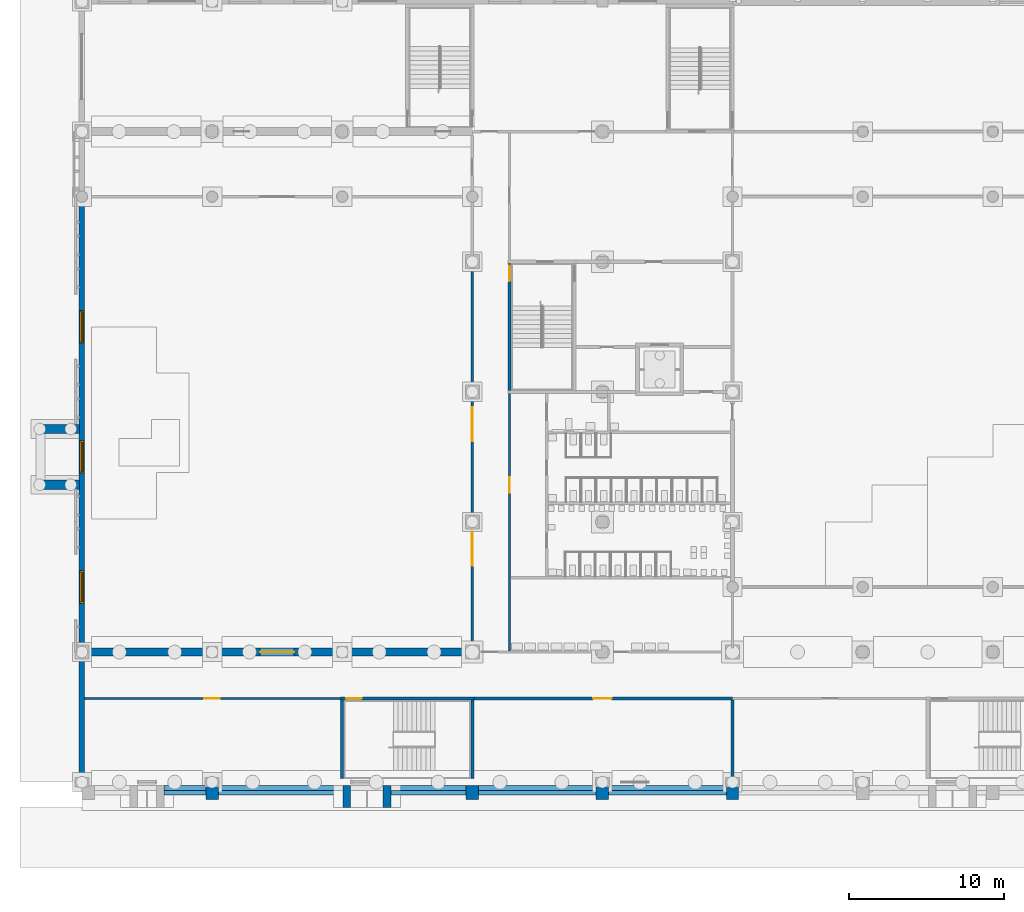
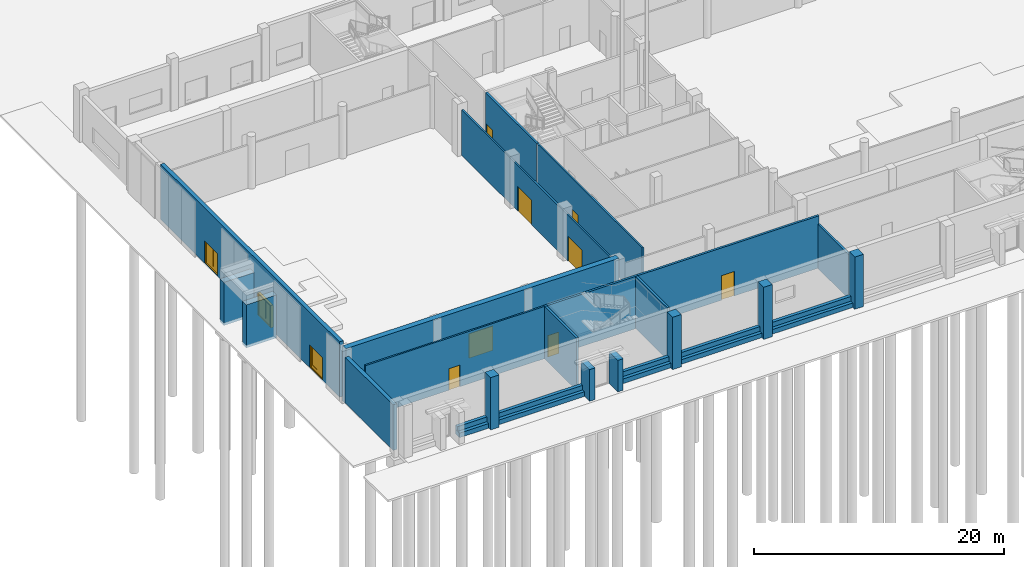
# One storey, part 15 of 74: 30 walls, 11 doors, 11 openings.
"""IFC4 building model written with IfcOpenShell, lengths in metres."""

from ifc_helpers import new_model, si_unit, direction, frame, frame_2d, origin, place, context, subcontext, project, spatial, rectangle, extrude, material, layer, layer_set, type_object, element, fill, save


model = new_model("IFC4")

# Units and contexts
model_context = context("Model", 3, precision=1e-05, world=origin(), true_north=direction((0.0, 1.0)))
body_context = subcontext(model_context, "Body", "Model", "MODEL_VIEW")
ifc_project = project(units=[si_unit("LENGTHUNIT", "METRE"), si_unit("AREAUNIT", "SQUARE_METRE"), si_unit("VOLUMEUNIT", "CUBIC_METRE"), si_unit("PLANEANGLEUNIT", "RADIAN"), si_unit("MASSUNIT", "GRAM", prefix="KILO")], contexts=[model_context])

# Site, building, storey
site_placement = place(None, origin())
site = spatial("IfcSite", under=ifc_project, at=site_placement, CompositionType="ELEMENT")
building_placement = place(site_placement, origin())
building = spatial("IfcBuilding", under=site, at=building_placement, Name="Rulbaag Community and Learning Centre", CompositionType="ELEMENT")
storey_placement = place(building_placement, origin())
storey = spatial("IfcBuildingStorey", under=building, at=storey_placement, Name="L00", CompositionType="ELEMENT", Elevation=0.0)

# Walls
ifc_material_1 = material(Name="Concrete M40", Category="concrete")
ifc_layer_1 = layer(ifc_material_1, 0.800048828125)
ifc_layer_set_1 = layer_set([ifc_layer_1], Name="EW-BTR")
wall_type_1 = type_object("IfcWallType", Name="EW-BTR", PredefinedType="SOLIDWALL", material=ifc_layer_set_1)
for number, where, z_axis, x_axis, name in (
    (1, (8.39990234375, -0.22509765625, 0.0), (0.0, 0.0, 1.0), (0.0, -1.0, 0.0), "Buttress pier"),
    (2, (25.199951171875, -0.22509765625, 0.0), (0.0, 0.0, 1.0), (0.0, -1.0, 0.0), "Buttress pier"),
    (3, (33.60009765625, -0.22509765625, 0.0), (0.0, 0.0, 1.0), (0.0, -1.0, 0.0), "Buttress pier"),
    (4, (42.0, -0.22509765625, 0.0), (0.0, 0.0, 1.0), (0.0, -1.0, 0.0), "Buttress pier"),
):
    element("IfcWall", number, at=place(storey_placement, frame(where, z_axis=z_axis, x_axis=x_axis)), inside=storey, type_object=wall_type_1, Name=name, PredefinedType="SOLIDWALL", context=body_context, shape_type="SweptSolid", body=[
        extrude(rectangle(XDim=0.89990234375, YDim=0.800048828125, at=frame_2d((0.449951171875, 0.0))), origin(), (0.0, 0.0, 1.0), 5.10009765625),
    ])
ifc_layer_2 = layer(ifc_material_1, 0.35009765625)
ifc_layer_set_2 = layer_set([ifc_layer_2], Name="EW-CONC350")
wall_type_2 = type_object("IfcWallType", Name="EW-CONC350", PredefinedType="STANDARD", material=ifc_layer_set_2)
wall_1_placement = place(storey_placement, frame((0.0, 0.300048828125, 0.0), z_axis=(0.0, 0.0, 1.0), x_axis=(0.0, 1.0, 0.0)))
element("IfcWall", 5, at=wall_1_placement, inside=storey, type_object=wall_type_2, Name="Board-marked concrete cladding wall AW", PredefinedType="STANDARD", context=body_context, shape_type="SweptSolid", body=[
    extrude(rectangle(XDim=7.64990234375, YDim=0.35009765625, at=frame_2d((3.824951171875, 0.0))), origin(), (0.0, 0.0, 1.0), 4.449951171875),
])

# Wall, openings, doors
wall_2_placement = place(storey_placement, frame((0.0, 8.85009765625, 0.0), z_axis=(0.0, 0.0, 1.0), x_axis=(0.0, 1.0, 0.0)))
wall_2 = element("IfcWall", 6, at=wall_2_placement, inside=storey, type_object=wall_type_2, Name="Board-marked concrete cladding wall AW", PredefinedType="STANDARD", context=body_context, shape_type="SweptSolid", body=[
    extrude(rectangle(XDim=28.599853515625, YDim=0.35009765625, at=frame_2d((14.2998046875, 0.0))), origin(), (0.0, 0.0, 1.0), 5.39990234375),
])
opening_1_placement = place(wall_2_placement, frame((2.699951171875, 0.0, 0.0)))
opening_1 = element("IfcOpeningElement", 7, at=opening_1_placement, cuts=wall_2, Name="Opening L00-D001", PredefinedType="OPENING", context=body_context, shape_type="SweptSolid", body=[
    extrude(rectangle(XDim=2.10009765625, YDim=2.199951171875, at=frame_2d((1.050048828125, 1.10009765625))), frame((0.0, 0.18505859375, 0.0), z_axis=(0.0, -1.0, 0.0), x_axis=(1.0, 0.0, 0.0)), (0.0, 0.0, 1.0), 0.3701171875),
])
opening_2_placement = place(wall_2_placement, frame((11.10009765625, 0.0, 0.0)))
opening_2 = element("IfcOpeningElement", 8, at=opening_2_placement, cuts=wall_2, Name="Opening L00-D002", PredefinedType="OPENING", context=body_context, shape_type="SweptSolid", body=[
    extrude(rectangle(XDim=2.10009765625, YDim=2.199951171875, at=frame_2d((1.050048828125, 1.10009765625))), frame((0.0, 0.18505859375, 0.0), z_axis=(0.0, -1.0, 0.0), x_axis=(1.0, 0.0, 0.0)), (0.0, 0.0, 1.0), 0.3701171875),
])
opening_3_placement = place(wall_2_placement, frame((19.5, 0.0, 0.0)))
opening_3 = element("IfcOpeningElement", 9, at=opening_3_placement, cuts=wall_2, Name="Opening L00-D003", PredefinedType="OPENING", context=body_context, shape_type="SweptSolid", body=[
    extrude(rectangle(XDim=2.10009765625, YDim=2.199951171875, at=frame_2d((1.050048828125, 1.10009765625))), frame((0.0, 0.18505859375, 0.0), z_axis=(0.0, -1.0, 0.0), x_axis=(1.0, 0.0, 0.0)), (0.0, 0.0, 1.0), 0.3701171875),
])
ifc_material_2 = material(Name="Aluminium", Category="aluminium")
door_type_1 = type_object("IfcDoorType", Name="DG-21", OperationType="DOUBLE_DOOR_SINGLE_SWING", PredefinedType="DOOR", material=ifc_material_2)
door_1_placement = place(opening_1_placement, origin())
door_1 = element("IfcDoor", 10, at=door_1_placement, inside=storey, type_object=door_type_1, Name="Final exit G1", OperationType="SINGLE_SWING_LEFT", OverallHeight=2.199951171875, OverallWidth=2.10009765625, PredefinedType="DOOR", context=body_context, shape_type="SweptSolid", body=[
    extrude(rectangle(XDim=2.10009765625, YDim=0.012939453125, at=frame_2d((1.050048828125, 0.006591796875))), frame((0.0, 0.114990234375, 0.0), z_axis=(0.0, -1.0, 0.0), x_axis=(1.0, 0.0, 0.0)), (0.0, 0.0, 1.0), 0.22998046875),
    extrude(rectangle(XDim=0.074951171875, YDim=2.112060546875, at=frame_2d((0.03759765625, 1.069091796875))), frame((0.0, 0.125, 0.0), z_axis=(0.0, -1.0, 0.0), x_axis=(1.0, 0.0, 0.0)), (0.0, 0.0, 1.0), 0.25),
    extrude(rectangle(XDim=0.074951171875, YDim=2.112060546875, at=frame_2d((2.0625, 1.069091796875))), frame((0.0, 0.125, 0.0), z_axis=(0.0, -1.0, 0.0), x_axis=(1.0, 0.0, 0.0)), (0.0, 0.0, 1.0), 0.25),
    extrude(rectangle(XDim=2.10009765625, YDim=0.074951171875, at=frame_2d((1.050048828125, 2.16259765625))), frame((0.0, 0.114990234375, 0.0), z_axis=(0.0, -1.0, 0.0), x_axis=(1.0, 0.0, 0.0)), (0.0, 0.0, 1.0), 0.22998046875),
    extrude(rectangle(XDim=1.9501953125, YDim=0.300048828125, at=frame_2d((1.050048828125, 0.1630859375))), frame((0.0, 0.02001953125, 0.0), z_axis=(0.0, -1.0, 0.0), x_axis=(1.0, 0.0, 0.0)), (0.0, 0.0, 1.0), 0.0400390625),
    extrude(rectangle(XDim=1.9501953125, YDim=0.1201171875, at=frame_2d((1.050048828125, 2.06494140625))), frame((0.0, 0.02001953125, 0.0), z_axis=(0.0, -1.0, 0.0), x_axis=(1.0, 0.0, 0.0)), (0.0, 0.0, 1.0), 0.0400390625),
    extrude(rectangle(XDim=0.090087890625, YDim=1.69189453125, at=frame_2d((0.119873046875, 1.158935546875))), frame((0.0, 0.02490234375, 0.0), z_axis=(0.0, -1.0, 0.0), x_axis=(1.0, 0.0, 0.0)), (0.0, 0.0, 1.0), 0.050048828125),
    extrude(rectangle(XDim=0.179931640625, YDim=1.69189453125, at=frame_2d((1.050048828125, 1.158935546875))), frame((0.0, 0.02490234375, 0.0), z_axis=(0.0, -1.0, 0.0), x_axis=(1.0, 0.0, 0.0)), (0.0, 0.0, 1.0), 0.050048828125),
    extrude(rectangle(XDim=0.090087890625, YDim=1.69189453125, at=frame_2d((1.980224609375, 1.158935546875))), frame((0.0, 0.02490234375, 0.0), z_axis=(0.0, -1.0, 0.0), x_axis=(1.0, 0.0, 0.0)), (0.0, 0.0, 1.0), 0.050048828125),
    extrude(rectangle(XDim=0.795166015625, YDim=1.69189453125, at=frame_2d((0.5625, 1.158935546875))), frame((0.0, 0.011962890625, 0.0), z_axis=(0.0, -1.0, 0.0), x_axis=(1.0, 0.0, 0.0)), (0.0, 0.0, 1.0), 0.02392578125),
    extrude(rectangle(XDim=0.795166015625, YDim=1.69189453125, at=frame_2d((1.53759765625, 1.158935546875))), frame((0.0, 0.011962890625, 0.0), z_axis=(0.0, -1.0, 0.0), x_axis=(1.0, 0.0, 0.0)), (0.0, 0.0, 1.0), 0.02392578125),
])
fill(opening_1, door_1)
door_2_placement = place(opening_2_placement, origin())
door_2 = element("IfcDoor", 11, at=door_2_placement, inside=storey, type_object=door_type_1, Name="Final exit G2", OperationType="SINGLE_SWING_LEFT", OverallHeight=2.199951171875, OverallWidth=2.10009765625, PredefinedType="DOOR", context=body_context, shape_type="SweptSolid", body=[
    extrude(rectangle(XDim=2.10009765625, YDim=0.012939453125, at=frame_2d((1.050048828125, 0.006591796875))), frame((0.0, 0.114990234375, 0.0), z_axis=(0.0, -1.0, 0.0), x_axis=(1.0, 0.0, 0.0)), (0.0, 0.0, 1.0), 0.22998046875),
    extrude(rectangle(XDim=0.074951171875, YDim=2.112060546875, at=frame_2d((0.03759765625, 1.069091796875))), frame((0.0, 0.125, 0.0), z_axis=(0.0, -1.0, 0.0), x_axis=(1.0, 0.0, 0.0)), (0.0, 0.0, 1.0), 0.25),
    extrude(rectangle(XDim=0.074951171875, YDim=2.112060546875, at=frame_2d((2.0625, 1.069091796875))), frame((0.0, 0.125, 0.0), z_axis=(0.0, -1.0, 0.0), x_axis=(1.0, 0.0, 0.0)), (0.0, 0.0, 1.0), 0.25),
    extrude(rectangle(XDim=2.10009765625, YDim=0.074951171875, at=frame_2d((1.050048828125, 2.16259765625))), frame((0.0, 0.114990234375, 0.0), z_axis=(0.0, -1.0, 0.0), x_axis=(1.0, 0.0, 0.0)), (0.0, 0.0, 1.0), 0.22998046875),
    extrude(rectangle(XDim=1.9501953125, YDim=0.300048828125, at=frame_2d((1.050048828125, 0.1630859375))), frame((0.0, 0.02001953125, 0.0), z_axis=(0.0, -1.0, 0.0), x_axis=(1.0, 0.0, 0.0)), (0.0, 0.0, 1.0), 0.0400390625),
    extrude(rectangle(XDim=1.9501953125, YDim=0.1201171875, at=frame_2d((1.050048828125, 2.06494140625))), frame((0.0, 0.02001953125, 0.0), z_axis=(0.0, -1.0, 0.0), x_axis=(1.0, 0.0, 0.0)), (0.0, 0.0, 1.0), 0.0400390625),
    extrude(rectangle(XDim=0.090087890625, YDim=1.69189453125, at=frame_2d((0.119873046875, 1.158935546875))), frame((0.0, 0.02490234375, 0.0), z_axis=(0.0, -1.0, 0.0), x_axis=(1.0, 0.0, 0.0)), (0.0, 0.0, 1.0), 0.050048828125),
    extrude(rectangle(XDim=0.179931640625, YDim=1.69189453125, at=frame_2d((1.050048828125, 1.158935546875))), frame((0.0, 0.02490234375, 0.0), z_axis=(0.0, -1.0, 0.0), x_axis=(1.0, 0.0, 0.0)), (0.0, 0.0, 1.0), 0.050048828125),
    extrude(rectangle(XDim=0.090087890625, YDim=1.69189453125, at=frame_2d((1.980224609375, 1.158935546875))), frame((0.0, 0.02490234375, 0.0), z_axis=(0.0, -1.0, 0.0), x_axis=(1.0, 0.0, 0.0)), (0.0, 0.0, 1.0), 0.050048828125),
    extrude(rectangle(XDim=0.795166015625, YDim=1.69189453125, at=frame_2d((0.5625, 1.158935546875))), frame((0.0, 0.011962890625, 0.0), z_axis=(0.0, -1.0, 0.0), x_axis=(1.0, 0.0, 0.0)), (0.0, 0.0, 1.0), 0.02392578125),
    extrude(rectangle(XDim=0.795166015625, YDim=1.69189453125, at=frame_2d((1.53759765625, 1.158935546875))), frame((0.0, 0.011962890625, 0.0), z_axis=(0.0, -1.0, 0.0), x_axis=(1.0, 0.0, 0.0)), (0.0, 0.0, 1.0), 0.02392578125),
])
fill(opening_2, door_2)
door_3_placement = place(opening_3_placement, origin())
door_3 = element("IfcDoor", 12, at=door_3_placement, inside=storey, type_object=door_type_1, Name="Final exit G3", OperationType="SINGLE_SWING_LEFT", OverallHeight=2.199951171875, OverallWidth=2.10009765625, PredefinedType="DOOR", context=body_context, shape_type="SweptSolid", body=[
    extrude(rectangle(XDim=2.10009765625, YDim=0.012939453125, at=frame_2d((1.050048828125, 0.006591796875))), frame((0.0, 0.114990234375, 0.0), z_axis=(0.0, -1.0, 0.0), x_axis=(1.0, 0.0, 0.0)), (0.0, 0.0, 1.0), 0.22998046875),
    extrude(rectangle(XDim=0.074951171875, YDim=2.112060546875, at=frame_2d((0.03759765625, 1.069091796875))), frame((0.0, 0.125, 0.0), z_axis=(0.0, -1.0, 0.0), x_axis=(1.0, 0.0, 0.0)), (0.0, 0.0, 1.0), 0.25),
    extrude(rectangle(XDim=0.074951171875, YDim=2.112060546875, at=frame_2d((2.0625, 1.069091796875))), frame((0.0, 0.125, 0.0), z_axis=(0.0, -1.0, 0.0), x_axis=(1.0, 0.0, 0.0)), (0.0, 0.0, 1.0), 0.25),
    extrude(rectangle(XDim=2.10009765625, YDim=0.074951171875, at=frame_2d((1.050048828125, 2.16259765625))), frame((0.0, 0.114990234375, 0.0), z_axis=(0.0, -1.0, 0.0), x_axis=(1.0, 0.0, 0.0)), (0.0, 0.0, 1.0), 0.22998046875),
    extrude(rectangle(XDim=1.9501953125, YDim=0.300048828125, at=frame_2d((1.050048828125, 0.1630859375))), frame((0.0, 0.02001953125, 0.0), z_axis=(0.0, -1.0, 0.0), x_axis=(1.0, 0.0, 0.0)), (0.0, 0.0, 1.0), 0.0400390625),
    extrude(rectangle(XDim=1.9501953125, YDim=0.1201171875, at=frame_2d((1.050048828125, 2.06494140625))), frame((0.0, 0.02001953125, 0.0), z_axis=(0.0, -1.0, 0.0), x_axis=(1.0, 0.0, 0.0)), (0.0, 0.0, 1.0), 0.0400390625),
    extrude(rectangle(XDim=0.090087890625, YDim=1.69189453125, at=frame_2d((0.119873046875, 1.158935546875))), frame((0.0, 0.02490234375, 0.0), z_axis=(0.0, -1.0, 0.0), x_axis=(1.0, 0.0, 0.0)), (0.0, 0.0, 1.0), 0.050048828125),
    extrude(rectangle(XDim=0.179931640625, YDim=1.69189453125, at=frame_2d((1.050048828125, 1.158935546875))), frame((0.0, 0.02490234375, 0.0), z_axis=(0.0, -1.0, 0.0), x_axis=(1.0, 0.0, 0.0)), (0.0, 0.0, 1.0), 0.050048828125),
    extrude(rectangle(XDim=0.090087890625, YDim=1.69189453125, at=frame_2d((1.980224609375, 1.158935546875))), frame((0.0, 0.02490234375, 0.0), z_axis=(0.0, -1.0, 0.0), x_axis=(1.0, 0.0, 0.0)), (0.0, 0.0, 1.0), 0.050048828125),
    extrude(rectangle(XDim=0.795166015625, YDim=1.69189453125, at=frame_2d((0.5625, 1.158935546875))), frame((0.0, 0.011962890625, 0.0), z_axis=(0.0, -1.0, 0.0), x_axis=(1.0, 0.0, 0.0)), (0.0, 0.0, 1.0), 0.02392578125),
    extrude(rectangle(XDim=0.795166015625, YDim=1.69189453125, at=frame_2d((1.53759765625, 1.158935546875))), frame((0.0, 0.011962890625, 0.0), z_axis=(0.0, -1.0, 0.0), x_axis=(1.0, 0.0, 0.0)), (0.0, 0.0, 1.0), 0.02392578125),
])
fill(opening_3, door_3)

# Walls
ifc_layer_3 = layer(ifc_material_1, 0.5)
ifc_layer_set_3 = layer_set([ifc_layer_3], Name="EW-PJB5")
wall_type_3 = type_object("IfcWallType", Name="EW-PJB5", PredefinedType="SOLIDWALL", material=ifc_layer_set_3)
for number, where, z_axis, x_axis, name in (
    (13, (17.10009765625, -0.22509765625, 0.0), (0.0, 0.0, 1.0), (0.0, -1.0, 0.0), "Portal jamb"),
    (14, (19.699951171875, -0.22509765625, 0.0), (0.0, 0.0, 1.0), (0.0, -1.0, 0.0), "Portal jamb"),
):
    element("IfcWall", number, at=place(storey_placement, frame(where, z_axis=z_axis, x_axis=x_axis)), inside=storey, type_object=wall_type_3, Name=name, PredefinedType="SOLIDWALL", context=body_context, shape_type="SweptSolid", body=[
        extrude(rectangle(XDim=1.39990234375, YDim=0.5, at=frame_2d((0.699951171875, 0.0))), origin(), (0.0, 0.0, 1.0), 3.080078125),
    ])
ifc_layer_4 = layer(ifc_material_1, 0.60009765625)
ifc_layer_set_4 = layer_set([ifc_layer_4], Name="EW-PLN1")
wall_type_4 = type_object("IfcWallType", Name="EW-PLN1", PredefinedType="SOLIDWALL", material=ifc_layer_set_4)
wall_3_placement = place(storey_placement, frame((5.300048828125, -0.52490234375, 0.0), z_axis=(0.0, 0.0, 1.0), x_axis=(1.0, 0.0, 0.0)))
element("IfcWall", 15, at=wall_3_placement, inside=storey, type_object=wall_type_4, Name="Battered plinth", PredefinedType="SOLIDWALL", context=body_context, shape_type="SweptSolid", body=[
    extrude(rectangle(XDim=2.699951171875, YDim=0.60009765625, at=frame_2d((1.35009765625, 0.0))), origin(), (0.0, 0.0, 1.0), 0.449951171875),
])
wall_4_placement = place(storey_placement, frame((8.800048828125, -0.52490234375, 0.0), z_axis=(0.0, 0.0, 1.0), x_axis=(1.0, 0.0, 0.0)))
element("IfcWall", 16, at=wall_4_placement, inside=storey, type_object=wall_type_4, Name="Battered plinth", PredefinedType="SOLIDWALL", context=body_context, shape_type="SweptSolid", body=[
    extrude(rectangle(XDim=8.050048828125, YDim=0.60009765625, at=frame_2d((4.02490234375, 0.0))), origin(), (0.0, 0.0, 1.0), 0.449951171875),
])
wall_5_placement = place(storey_placement, frame((19.949951171875, -0.52490234375, 0.0), z_axis=(0.0, 0.0, 1.0), x_axis=(1.0, 0.0, 0.0)))
element("IfcWall", 17, at=wall_5_placement, inside=storey, type_object=wall_type_4, Name="Battered plinth", PredefinedType="SOLIDWALL", context=body_context, shape_type="SweptSolid", body=[
    extrude(rectangle(XDim=4.85009765625, YDim=0.60009765625, at=frame_2d((2.425048828125, 0.0))), origin(), (0.0, 0.0, 1.0), 0.449951171875),
])
wall_6_placement = place(storey_placement, frame((25.60009765625, -0.52490234375, 0.0), z_axis=(0.0, 0.0, 1.0), x_axis=(1.0, 0.0, 0.0)))
element("IfcWall", 18, at=wall_6_placement, inside=storey, type_object=wall_type_4, Name="Battered plinth", PredefinedType="SOLIDWALL", context=body_context, shape_type="SweptSolid", body=[
    extrude(rectangle(XDim=7.599853515625, YDim=0.60009765625, at=frame_2d((3.7998046875, 0.0))), origin(), (0.0, 0.0, 1.0), 0.449951171875),
])
wall_7_placement = place(storey_placement, frame((34.0, -0.52490234375, 0.0), z_axis=(0.0, 0.0, 1.0), x_axis=(1.0, 0.0, 0.0)))
element("IfcWall", 19, at=wall_7_placement, inside=storey, type_object=wall_type_4, Name="Battered plinth", PredefinedType="SOLIDWALL", context=body_context, shape_type="SweptSolid", body=[
    extrude(rectangle(XDim=7.60009765625, YDim=0.60009765625, at=frame_2d((3.800048828125, 0.0))), origin(), (0.0, 0.0, 1.0), 0.449951171875),
])
ifc_layer_5 = layer(ifc_material_1, 0.300048828125)
ifc_layer_set_5 = layer_set([ifc_layer_5], Name="EW-PLN2")
wall_type_5 = type_object("IfcWallType", Name="EW-PLN2", PredefinedType="SOLIDWALL", material=ifc_layer_set_5)
wall_8_placement = place(storey_placement, frame((5.300048828125, -0.375, 0.449951171875), z_axis=(0.0, 0.0, 1.0), x_axis=(1.0, 0.0, 0.0)))
element("IfcWall", 20, at=wall_8_placement, inside=storey, type_object=wall_type_5, Name="Battered plinth", PredefinedType="SOLIDWALL", context=body_context, shape_type="SweptSolid", body=[
    extrude(rectangle(XDim=2.699951171875, YDim=0.300048828125, at=frame_2d((1.35009765625, 0.0))), origin(), (0.0, 0.0, 1.0), 0.449951171875),
])
wall_9_placement = place(storey_placement, frame((8.800048828125, -0.375, 0.449951171875), z_axis=(0.0, 0.0, 1.0), x_axis=(1.0, 0.0, 0.0)))
element("IfcWall", 21, at=wall_9_placement, inside=storey, type_object=wall_type_5, Name="Battered plinth", PredefinedType="SOLIDWALL", context=body_context, shape_type="SweptSolid", body=[
    extrude(rectangle(XDim=8.050048828125, YDim=0.300048828125, at=frame_2d((4.02490234375, 0.0))), origin(), (0.0, 0.0, 1.0), 0.449951171875),
])
wall_10_placement = place(storey_placement, frame((19.949951171875, -0.375, 0.449951171875), z_axis=(0.0, 0.0, 1.0), x_axis=(1.0, 0.0, 0.0)))
element("IfcWall", 22, at=wall_10_placement, inside=storey, type_object=wall_type_5, Name="Battered plinth", PredefinedType="SOLIDWALL", context=body_context, shape_type="SweptSolid", body=[
    extrude(rectangle(XDim=4.85009765625, YDim=0.300048828125, at=frame_2d((2.425048828125, 0.0))), origin(), (0.0, 0.0, 1.0), 0.449951171875),
])
wall_11_placement = place(storey_placement, frame((25.60009765625, -0.375, 0.449951171875), z_axis=(0.0, 0.0, 1.0), x_axis=(1.0, 0.0, 0.0)))
element("IfcWall", 23, at=wall_11_placement, inside=storey, type_object=wall_type_5, Name="Battered plinth", PredefinedType="SOLIDWALL", context=body_context, shape_type="SweptSolid", body=[
    extrude(rectangle(XDim=7.599853515625, YDim=0.300048828125, at=frame_2d((3.7998046875, 0.0))), origin(), (0.0, 0.0, 1.0), 0.449951171875),
])
wall_12_placement = place(storey_placement, frame((34.0, -0.375, 0.449951171875), z_axis=(0.0, 0.0, 1.0), x_axis=(1.0, 0.0, 0.0)))
element("IfcWall", 24, at=wall_12_placement, inside=storey, type_object=wall_type_5, Name="Battered plinth", PredefinedType="SOLIDWALL", context=body_context, shape_type="SweptSolid", body=[
    extrude(rectangle(XDim=7.60009765625, YDim=0.300048828125, at=frame_2d((3.800048828125, 0.0))), origin(), (0.0, 0.0, 1.0), 0.449951171875),
])

# Wall, opening, door
ifc_material_3 = material(Name="Concrete blockwork", Category="masonry")
ifc_layer_6 = layer(ifc_material_3, 0.199951171875)
ifc_layer_set_6 = layer_set([ifc_layer_6], Name="FW-200 FIRE WALL 200")
wall_type_6 = type_object("IfcWallType", Name="FW-200 FIRE WALL 200", PredefinedType="SOLIDWALL", material=ifc_layer_set_6)
wall_13_placement = place(storey_placement, frame((25.300048828125, 5.39990234375, 0.0), z_axis=(0.0, 0.0, 1.0), x_axis=(1.0, 0.0, 0.0)))
wall_13 = element("IfcWall", 25, at=wall_13_placement, inside=storey, type_object=wall_type_6, Name="Fire wall L00 2", PredefinedType="SOLIDWALL", context=body_context, shape_type="SweptSolid", body=[
    extrude(rectangle(XDim=16.699951171875, YDim=0.199951171875, at=frame_2d((8.35009765625, 0.0))), origin(), (0.0, 0.0, 1.0), 5.10009765625),
])
opening_4_placement = place(wall_13_placement, frame((7.699951171875, 0.0, 0.0)))
opening_4 = element("IfcOpeningElement", 26, at=opening_4_placement, cuts=wall_13, Name="Opening L00-D039", PredefinedType="OPENING", context=body_context, shape_type="SweptSolid", body=[
    extrude(rectangle(XDim=1.199951171875, YDim=2.39990234375, at=frame_2d((0.60009765625, 1.199951171875))), frame((0.0, 0.10986328125, 0.0), z_axis=(0.0, -1.0, 0.0), x_axis=(1.0, 0.0, 0.0)), (0.0, 0.0, 1.0), 0.219970703125),
])
ifc_material_4 = material(Name="Galvanised steel", Category="steel")
door_type_2 = type_object("IfcDoorType", Name="DP-1200 PLANT ROOM DOOR 1200 x 2400", OperationType="SINGLE_SWING_LEFT", PredefinedType="DOOR", material=ifc_material_4)
door_4_placement = place(opening_4_placement, origin())
door_4 = element("IfcDoor", 27, at=door_4_placement, inside=storey, type_object=door_type_2, Name="Door L00-D039", OperationType="SINGLE_SWING_LEFT", OverallHeight=2.39990234375, OverallWidth=1.199951171875, PredefinedType="DOOR", context=body_context, shape_type="SweptSolid", body=[
    extrude(rectangle(XDim=1.199951171875, YDim=2.39990234375, at=frame_2d((0.60009765625, 1.199951171875))), frame((0.0, 0.02490234375, 0.0), z_axis=(0.0, -1.0, 0.0), x_axis=(1.0, 0.0, 0.0)), (0.0, 0.0, 1.0), 0.050048828125),
])
fill(opening_4, door_4)

# Wall
wall_14_placement = place(storey_placement, frame((42.0, 0.22509765625, 0.0), z_axis=(0.0, 0.0, 1.0), x_axis=(0.0, 1.0, 0.0)))
element("IfcWall", 28, at=wall_14_placement, inside=storey, type_object=wall_type_6, Name="Fire wall L00 65", PredefinedType="SOLIDWALL", context=body_context, shape_type="SweptSolid", body=[
    extrude(rectangle(XDim=5.074951171875, YDim=0.199951171875, at=frame_2d((2.53759765625, 0.0))), origin(), (0.0, 0.0, 1.0), 4.300048828125),
])

# Wall, opening, door
ifc_layer_7 = layer(ifc_material_3, 0.14990234375)
ifc_layer_set_7 = layer_set([ifc_layer_7], Name="IP-150 PARTITION 150")
wall_type_7 = type_object("IfcWallType", Name="IP-150 PARTITION 150", PredefinedType="PARTITIONING", material=ifc_layer_set_7)
wall_15_placement = place(storey_placement, frame((0.175048828125, 5.39990234375, 0.0), z_axis=(0.0, 0.0, 1.0), x_axis=(1.0, 0.0, 0.0)))
wall_15 = element("IfcWall", 29, at=wall_15_placement, inside=storey, type_object=wall_type_7, Name="Partition L00 1", PredefinedType="PARTITIONING", context=body_context, shape_type="SweptSolid", body=[
    extrude(rectangle(XDim=16.52490234375, YDim=0.14990234375, at=frame_2d((8.262451171875, 0.0))), origin(), (0.0, 0.0, 1.0), 5.10009765625),
])
opening_5_placement = place(wall_15_placement, frame((7.72509765625, 0.0, 0.0)))
opening_5 = element("IfcOpeningElement", 30, at=opening_5_placement, cuts=wall_15, Name="Opening L00-D006", PredefinedType="OPENING", context=body_context, shape_type="SweptSolid", body=[
    extrude(rectangle(XDim=1.0, YDim=2.10009765625, at=frame_2d((0.5, 1.050048828125))), frame((0.0, 0.0849609375, 0.0), z_axis=(0.0, -1.0, 0.0), x_axis=(1.0, 0.0, 0.0)), (0.0, 0.0, 1.0), 0.169921875),
])
ifc_material_5 = material(Name="Timber", Category="wood")
door_type_3 = type_object("IfcDoorType", Name="D-1000 DOOR 1000 x 2100", OperationType="SINGLE_SWING_LEFT", PredefinedType="DOOR", material=ifc_material_5)
door_5_placement = place(opening_5_placement, origin())
door_5 = element("IfcDoor", 31, at=door_5_placement, inside=storey, type_object=door_type_3, Name="Door L00-D006", OperationType="SINGLE_SWING_LEFT", OverallHeight=2.10009765625, OverallWidth=1.0, PredefinedType="DOOR", context=body_context, shape_type="SweptSolid", body=[
    extrude(rectangle(XDim=1.0, YDim=2.10009765625, at=frame_2d((0.5, 1.050048828125))), frame((0.0, 0.02490234375, 0.0), z_axis=(0.0, -1.0, 0.0), x_axis=(1.0, 0.0, 0.0)), (0.0, 0.0, 1.0), 0.050048828125),
])
fill(opening_5, door_5)

# Wall, openings, doors
wall_16_placement = place(storey_placement, frame((25.199951171875, 8.64990234375, 0.0), z_axis=(0.0, 0.0, 1.0), x_axis=(0.0, 1.0, 0.0)))
wall_16 = element("IfcWall", 32, at=wall_16_placement, inside=storey, type_object=wall_type_7, Name="Partition L00 57", PredefinedType="PARTITIONING", context=body_context, shape_type="SweptSolid", body=[
    extrude(rectangle(XDim=24.52001953125, YDim=0.14990234375, at=frame_2d((12.260009765625, 0.0))), origin(), (0.0, 0.0, 1.0), 4.449951171875),
])
opening_6_placement = place(wall_16_placement, frame((13.35009765625, 0.0, 0.0)))
opening_6 = element("IfcOpeningElement", 33, at=opening_6_placement, cuts=wall_16, Name="Opening L00-D017", PredefinedType="OPENING", context=body_context, shape_type="SweptSolid", body=[
    extrude(rectangle(XDim=2.199951171875, YDim=2.39990234375, at=frame_2d((1.10009765625, 1.199951171875))), frame((0.0, 0.0849609375, 0.0), z_axis=(0.0, -1.0, 0.0), x_axis=(1.0, 0.0, 0.0)), (0.0, 0.0, 1.0), 0.169921875),
])
opening_7_placement = place(wall_16_placement, frame((5.31005859375, 0.0, 0.0)))
opening_7 = element("IfcOpeningElement", 34, at=opening_7_placement, cuts=wall_16, Name="Opening L00-D016", PredefinedType="OPENING", context=body_context, shape_type="SweptSolid", body=[
    extrude(rectangle(XDim=2.199951171875, YDim=2.39990234375, at=frame_2d((1.10009765625, 1.199951171875))), frame((0.0, 0.0849609375, 0.0), z_axis=(0.0, -1.0, 0.0), x_axis=(1.0, 0.0, 0.0)), (0.0, 0.0, 1.0), 0.169921875),
])
door_type_4 = type_object("IfcDoorType", Name="D-2200 PRAYER HALL EXIT DOOR PAIR 2200 x 2400", OperationType="DOUBLE_DOOR_SINGLE_SWING", PredefinedType="DOOR", material=ifc_material_5)
door_6_placement = place(opening_6_placement, origin())
door_6 = element("IfcDoor", 35, at=door_6_placement, inside=storey, type_object=door_type_4, Name="Door L00-D017", OperationType="DOUBLE_DOOR_SINGLE_SWING", OverallHeight=2.39990234375, OverallWidth=2.199951171875, PredefinedType="DOOR", context=body_context, shape_type="SweptSolid", body=[
    extrude(rectangle(XDim=2.199951171875, YDim=2.39990234375, at=frame_2d((1.10009765625, 1.199951171875))), frame((0.0, 0.02490234375, 0.0), z_axis=(0.0, -1.0, 0.0), x_axis=(1.0, 0.0, 0.0)), (0.0, 0.0, 1.0), 0.050048828125),
])
fill(opening_6, door_6)
door_7_placement = place(opening_7_placement, origin())
door_7 = element("IfcDoor", 36, at=door_7_placement, inside=storey, type_object=door_type_4, Name="Door L00-D016", OperationType="DOUBLE_DOOR_SINGLE_SWING", OverallHeight=2.39990234375, OverallWidth=2.199951171875, PredefinedType="DOOR", context=body_context, shape_type="SweptSolid", body=[
    extrude(rectangle(XDim=2.199951171875, YDim=2.39990234375, at=frame_2d((1.10009765625, 1.199951171875))), frame((0.0, 0.02490234375, 0.0), z_axis=(0.0, -1.0, 0.0), x_axis=(1.0, 0.0, 0.0)), (0.0, 0.0, 1.0), 0.050048828125),
])
fill(opening_7, door_7)

# Wall, opening, door
wall_17_placement = place(storey_placement, frame((27.60009765625, 8.47509765625, 0.0), z_axis=(0.0, 0.0, 1.0), x_axis=(0.0, 1.0, 0.0)))
wall_17 = element("IfcWall", 37, at=wall_17_placement, inside=storey, type_object=wall_type_7, Name="Partition L00 60", PredefinedType="PARTITIONING", context=body_context, shape_type="SweptSolid", body=[
    extrude(rectangle(XDim=16.824951171875, YDim=0.14990234375, at=frame_2d((8.41259765625, 0.0))), origin(), (0.0, 0.0, 1.0), 5.10009765625),
])
opening_8_placement = place(wall_17_placement, frame((10.22509765625, 0.0, 0.0)))
opening_8 = element("IfcOpeningElement", 38, at=opening_8_placement, cuts=wall_17, Name="Opening L00-D023", PredefinedType="OPENING", context=body_context, shape_type="SweptSolid", body=[
    extrude(rectangle(XDim=1.0, YDim=2.10009765625, at=frame_2d((0.5, 1.050048828125))), frame((0.0, 0.0849609375, 0.0), z_axis=(0.0, -1.0, 0.0), x_axis=(1.0, 0.0, 0.0)), (0.0, 0.0, 1.0), 0.169921875),
])
door_8_placement = place(opening_8_placement, origin())
door_8 = element("IfcDoor", 39, at=door_8_placement, inside=storey, type_object=door_type_3, Name="Door L00-D023", OperationType="SINGLE_SWING_LEFT", OverallHeight=2.10009765625, OverallWidth=1.0, PredefinedType="DOOR", context=body_context, shape_type="SweptSolid", body=[
    extrude(rectangle(XDim=1.0, YDim=2.10009765625, at=frame_2d((0.5, 1.050048828125))), frame((0.0, 0.02490234375, 0.0), z_axis=(0.0, -1.0, 0.0), x_axis=(1.0, 0.0, 0.0)), (0.0, 0.0, 1.0), 0.050048828125),
])
fill(opening_8, door_8)

ifc_layer_8 = layer(ifc_material_1, 0.5)
ifc_layer_set_8 = layer_set([ifc_layer_8], Name="W13 Shear wall 500 Concrete M40")
wall_type_8 = type_object("IfcWallType", Name="W13 Shear wall 500 Concrete M40", PredefinedType="SHEAR", material=ifc_layer_set_8)
wall_18_placement = place(storey_placement, frame((0.0, 8.39990234375, -0.300048828125), z_axis=(0.0, 0.0, 1.0), x_axis=(1.0, 0.0, 0.0)))
wall_18 = element("IfcWall", 40, at=wall_18_placement, inside=storey, type_object=wall_type_8, Name="WL-XPS-L00", PredefinedType="SHEAR", context=body_context, shape_type="SweptSolid", body=[
    extrude(rectangle(XDim=25.199951171875, YDim=0.5, at=frame_2d((12.60009765625, 0.0))), origin(), (0.0, 0.0, 1.0), 5.400146484375),
])
opening_9_placement = place(wall_18_placement, frame((11.5, 0.0, 0.300048828125)))
opening_9 = element("IfcOpeningElement", 41, at=opening_9_placement, cuts=wall_18, Name="Opening L00-D009", PredefinedType="OPENING", context=body_context, shape_type="SweptSolid", body=[
    extrude(rectangle(XDim=2.199951171875, YDim=2.39990234375, at=frame_2d((1.10009765625, 1.199951171875))), frame((0.0, 0.260009765625, 0.0), z_axis=(0.0, -1.0, 0.0), x_axis=(1.0, 0.0, 0.0)), (0.0, 0.0, 1.0), 0.52001953125),
])
door_9_placement = place(opening_9_placement, origin())
door_9 = element("IfcDoor", 42, at=door_9_placement, inside=storey, type_object=door_type_4, Name="Door L00-D009", OperationType="DOUBLE_DOOR_SINGLE_SWING", OverallHeight=2.39990234375, OverallWidth=2.199951171875, PredefinedType="DOOR", context=body_context, shape_type="SweptSolid", body=[
    extrude(rectangle(XDim=2.199951171875, YDim=2.39990234375, at=frame_2d((1.10009765625, 1.199951171875))), frame((0.0, 0.02490234375, 0.0), z_axis=(0.0, -1.0, 0.0), x_axis=(1.0, 0.0, 0.0)), (0.0, 0.0, 1.0), 0.050048828125),
])
fill(opening_9, door_9)

# Walls
ifc_layer_9 = layer(ifc_material_1, 0.60009765625)
ifc_layer_set_9 = layer_set([ifc_layer_9], Name="W17 Portal pier 600 Concrete M40")
wall_type_9 = type_object("IfcWallType", Name="W17 Portal pier 600 Concrete M40", PredefinedType="SOLIDWALL", material=ifc_layer_set_9)
for number, where, z_axis, x_axis, name in (
    (43, (-0.175048828125, 19.199951171875, -0.300048828125), (0.0, 0.0, 1.0), (-1.0, 0.0, 0.0), "PT-PIER-W"),
    (44, (-0.175048828125, 22.800048828125, -0.300048828125), (0.0, 0.0, 1.0), (-1.0, 0.0, 0.0), "PT-PIER-E"),
):
    element("IfcWall", number, at=place(storey_placement, frame(where, z_axis=z_axis, x_axis=x_axis)), inside=storey, type_object=wall_type_9, Name=name, PredefinedType="SOLIDWALL", context=body_context, shape_type="SweptSolid", body=[
        extrude(rectangle(XDim=2.800048828125, YDim=0.60009765625, at=frame_2d((1.39990234375, 0.0))), origin(), (0.0, 0.0, 1.0), 4.199951171875),
    ])

# Wall, opening, door
ifc_layer_10 = layer(ifc_material_1, 0.199951171875)
ifc_layer_set_10 = layer_set([ifc_layer_10], Name="WSE Stair enclosure wall 200 Concrete M40")
wall_type_10 = type_object("IfcWallType", Name="WSE Stair enclosure wall 200 Concrete M40", PredefinedType="SHEAR", material=ifc_layer_set_10)
wall_19_placement = place(storey_placement, frame((27.60009765625, 25.300048828125, 0.0), z_axis=(0.0, 0.0, 1.0), x_axis=(0.0, 1.0, 0.0)))
wall_19 = element("IfcWall", 45, at=wall_19_placement, inside=storey, type_object=wall_type_10, Name="Stair enclosure wall SH1 W L00", PredefinedType="SHEAR", context=body_context, shape_type="SweptSolid", body=[
    extrude(rectangle(XDim=8.199951171875, YDim=0.199951171875, at=frame_2d((4.10009765625, 0.0))), origin(), (0.0, 0.0, 1.0), 5.10009765625),
])
opening_10_placement = place(wall_19_placement, frame((7.050048828125, 0.0, 0.0)))
opening_10 = element("IfcOpeningElement", 46, at=opening_10_placement, cuts=wall_19, Name="Opening L00-D024", PredefinedType="OPENING", context=body_context, shape_type="SweptSolid", body=[
    extrude(rectangle(XDim=1.0, YDim=2.10009765625, at=frame_2d((0.5, 1.050048828125))), frame((0.0, 0.10986328125, 0.0), z_axis=(0.0, -1.0, 0.0), x_axis=(1.0, 0.0, 0.0)), (0.0, 0.0, 1.0), 0.219970703125),
])
door_type_5 = type_object("IfcDoorType", Name="FD-1000 FIRE DOOR 1000 x 2100", OperationType="SINGLE_SWING_LEFT", PredefinedType="DOOR", material=ifc_material_4)
door_10_placement = place(opening_10_placement, origin())
door_10 = element("IfcDoor", 47, at=door_10_placement, inside=storey, type_object=door_type_5, Name="Door L00-D024", OperationType="SINGLE_SWING_LEFT", OverallHeight=2.10009765625, OverallWidth=1.0, PredefinedType="DOOR", context=body_context, shape_type="SweptSolid", body=[
    extrude(rectangle(XDim=1.0, YDim=2.10009765625, at=frame_2d((0.5, 1.050048828125))), frame((0.0, 0.02490234375, 0.0), z_axis=(0.0, -1.0, 0.0), x_axis=(1.0, 0.0, 0.0)), (0.0, 0.0, 1.0), 0.050048828125),
])
fill(opening_10, door_10)

wall_20_placement = place(storey_placement, frame((16.699951171875, 5.39990234375, 0.0), z_axis=(0.0, 0.0, 1.0), x_axis=(1.0, 0.0, 0.0)))
wall_20 = element("IfcWall", 48, at=wall_20_placement, inside=storey, type_object=wall_type_10, Name="Stair enclosure wall SH9 N L00", PredefinedType="SHEAR", context=body_context, shape_type="SweptSolid", body=[
    extrude(rectangle(XDim=8.60009765625, YDim=0.199951171875, at=frame_2d((4.300048828125, 0.0))), origin(), (0.0, 0.0, 1.0), 5.10009765625),
])
opening_11_placement = place(wall_20_placement, frame((0.35009765625, 0.0, 0.0)))
opening_11 = element("IfcOpeningElement", 49, at=opening_11_placement, cuts=wall_20, Name="Opening L00-D012", PredefinedType="OPENING", context=body_context, shape_type="SweptSolid", body=[
    extrude(rectangle(XDim=1.0, YDim=2.10009765625, at=frame_2d((0.5, 1.050048828125))), frame((0.0, 0.10986328125, 0.0), z_axis=(0.0, -1.0, 0.0), x_axis=(1.0, 0.0, 0.0)), (0.0, 0.0, 1.0), 0.219970703125),
])
door_11_placement = place(opening_11_placement, origin())
door_11 = element("IfcDoor", 50, at=door_11_placement, inside=storey, type_object=door_type_5, Name="Door L00-D012", OperationType="SINGLE_SWING_LEFT", OverallHeight=2.10009765625, OverallWidth=1.0, PredefinedType="DOOR", context=body_context, shape_type="SweptSolid", body=[
    extrude(rectangle(XDim=1.0, YDim=2.10009765625, at=frame_2d((0.5, 1.050048828125))), frame((0.0, 0.02490234375, 0.0), z_axis=(0.0, -1.0, 0.0), x_axis=(1.0, 0.0, 0.0)), (0.0, 0.0, 1.0), 0.050048828125),
])
fill(opening_11, door_11)

# Walls
for number, where, z_axis, x_axis, name in (
    (51, (16.800048828125, 0.22509765625, 0.0), (0.0, 0.0, 1.0), (0.0, 1.0, 0.0), "Stair enclosure wall SH9 W L00"),
    (52, (25.199951171875, 0.22509765625, 0.0), (0.0, 0.0, 1.0), (0.0, 1.0, 0.0), "Stair enclosure wall SH9 E L00"),
):
    element("IfcWall", number, at=place(storey_placement, frame(where, z_axis=z_axis, x_axis=x_axis)), inside=storey, type_object=wall_type_10, Name=name, PredefinedType="SHEAR", context=body_context, shape_type="SweptSolid", body=[
        extrude(rectangle(XDim=5.074951171875, YDim=0.199951171875, at=frame_2d((2.53759765625, 0.0))), origin(), (0.0, 0.0, 1.0), 5.10009765625),
    ])

save(model, "model.ifc")
